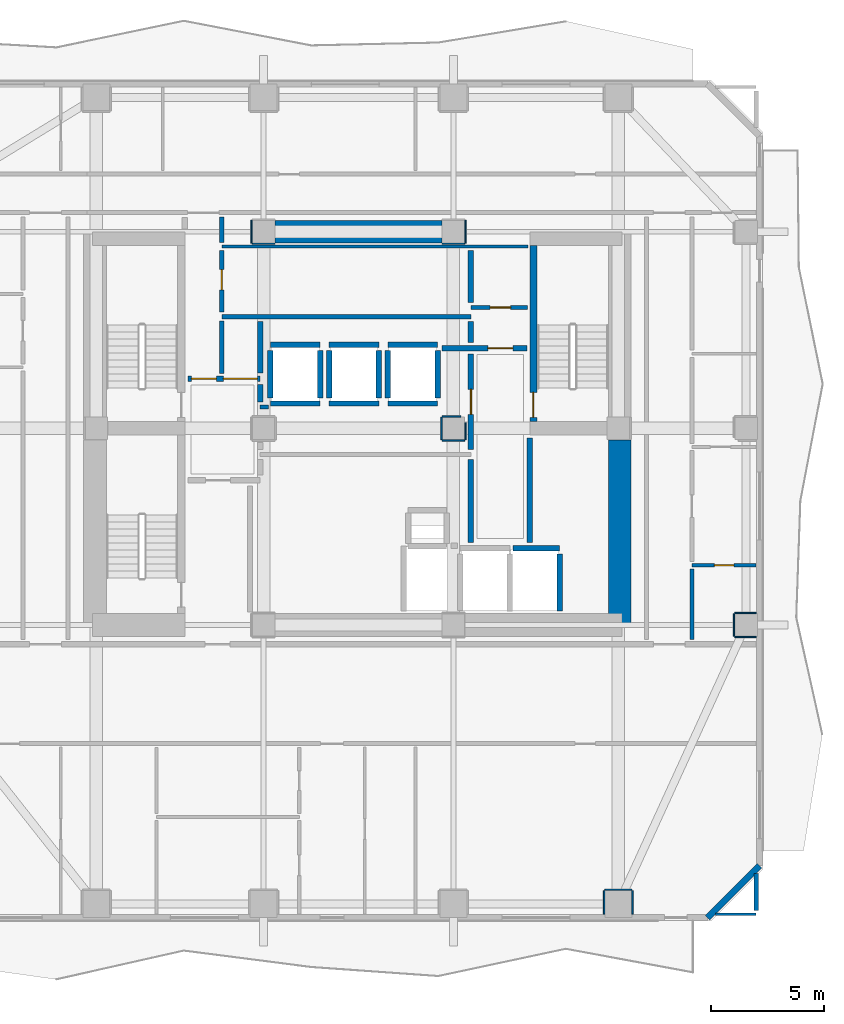
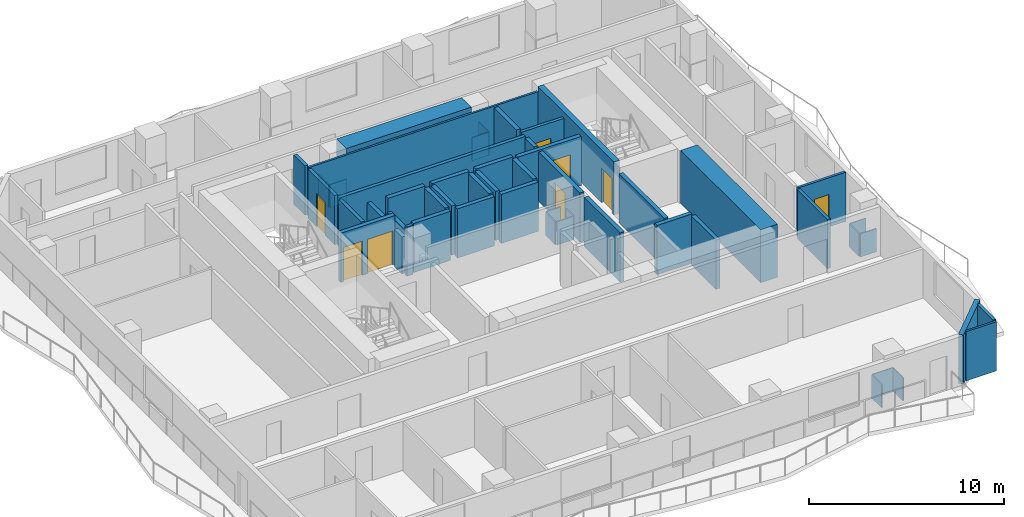
# One storey, part 4 of 10: 52 walls, 8 doors, 8 openings.
"""IFC4 building model written with IfcOpenShell, lengths in metres."""

from ifc_helpers import new_model, si_unit, direction, frame, frame_2d, origin, place, context, subcontext, project, spatial, rectangle, extrude, material, layer, layer_set, type_object, element, fill, save


model = new_model("IFC4")

# Units and contexts
model_context = context("Model", 3, precision=1e-05, world=origin(), true_north=direction((0.0, 1.0)))
body_context = subcontext(model_context, "Body", "Model", "MODEL_VIEW")
ifc_project = project(units=[si_unit("LENGTHUNIT", "METRE"), si_unit("AREAUNIT", "SQUARE_METRE"), si_unit("VOLUMEUNIT", "CUBIC_METRE"), si_unit("PLANEANGLEUNIT", "RADIAN"), si_unit("MASSUNIT", "GRAM", prefix="KILO")], contexts=[model_context])

# Site, building, storey
site_placement = place(None, origin())
site = spatial("IfcSite", under=ifc_project, at=site_placement, CompositionType="ELEMENT")
building_placement = place(site_placement, origin())
building = spatial("IfcBuilding", under=site, at=building_placement, Name="Solanera Arch Residences", CompositionType="ELEMENT")
storey_placement = place(building_placement, frame((0.0, 0.0, 119.360107421875)))
storey = spatial("IfcBuildingStorey", under=building, at=storey_placement, Name="L34", CompositionType="ELEMENT", Elevation=119.360107421875)

# Walls
ifc_material_1 = material(Name="Fire-Rated Gypsum Stud Partition", Category="gypsum")
ifc_layer_1 = layer(ifc_material_1, 0.06005859375)
ifc_layer_set_1 = layer_set([ifc_layer_1], Name="Fire-Rated Gypsum Stud Partition")
wall_type_1 = type_object("IfcWallType", Name="Column Acoustic Furring Wall 60", PredefinedType="PARTITIONING", material=ifc_layer_set_1)
for number, where, z_axis, x_axis, name in (
    (1, (20.300048828125, 38.867919921875, 0.0), (0.0, 0.0, 1.0), (1.0, 0.0, 0.0), "L34 Column Furring 3S"),
    (2, (20.26806640625, 38.89990234375, 0.0), (0.0, 0.0, 1.0), (0.0, 1.0, 0.0), "L34 Column Furring 3W"),
    (3, (28.699951171875, 38.867919921875, 0.0), (0.0, 0.0, 1.0), (1.0, 0.0, 0.0), "L34 Column Furring 4S"),
    (4, (29.73193359375, 38.89990234375, 0.0), (0.0, 0.0, 1.0), (0.0, 1.0, 0.0), "L34 Column Furring 4E"),
    (5, (28.699951171875, 30.16796875, 0.0), (0.0, 0.0, 1.0), (1.0, 0.0, 0.0), "L34 Column Furring 8S"),
):
    element("IfcWall", number, at=place(storey_placement, frame(where, z_axis=z_axis, x_axis=x_axis)), inside=storey, type_object=wall_type_1, Name=name, PredefinedType="PARTITIONING", context=body_context, shape_type="SweptSolid", body=[
        extrude(rectangle(XDim=1.0, YDim=0.06005859375, at=frame_2d((0.5, 0.0))), origin(), (0.0, 0.0, 1.0), 1.449951171875),
    ])
wall_1_placement = place(storey_placement, frame((28.699951171875, 31.23193359375, 0.0), z_axis=(0.0, 0.0, 1.0), x_axis=(1.0, 0.0, 0.0)))
element("IfcWall", 6, at=wall_1_placement, inside=storey, type_object=wall_type_1, Name="L34 Column Furring 8N", PredefinedType="PARTITIONING", context=body_context, shape_type="SweptSolid", body=[
    extrude(rectangle(XDim=0.8349609375, YDim=0.06005859375, at=frame_2d((0.41748046875, 0.0))), origin(), (0.0, 0.0, 1.0), 1.449951171875),
])
wall_2_placement = place(storey_placement, frame((28.66796875, 30.199951171875, 0.0), z_axis=(0.0, 0.0, 1.0), x_axis=(0.0, 1.0, 0.0)))
element("IfcWall", 7, at=wall_2_placement, inside=storey, type_object=wall_type_1, Name="L34 Column Furring 8W", PredefinedType="PARTITIONING", context=body_context, shape_type="SweptSolid", body=[
    extrude(rectangle(XDim=1.0, YDim=0.06005859375, at=frame_2d((0.5, 0.0))), origin(), (0.0, 0.0, 1.0), 1.449951171875),
])
wall_3_placement = place(storey_placement, frame((29.73193359375, 30.199951171875, 0.0), z_axis=(0.0, 0.0, 1.0), x_axis=(0.0, 1.0, 0.0)))
element("IfcWall", 8, at=wall_3_placement, inside=storey, type_object=wall_type_1, Name="L34 Column Furring 8E", PredefinedType="PARTITIONING", context=body_context, shape_type="SweptSolid", body=[
    extrude(rectangle(XDim=0.7470703125, YDim=0.06005859375, at=frame_2d((0.37353515625, 0.0))), origin(), (0.0, 0.0, 1.0), 1.449951171875),
])
wall_4_placement = place(storey_placement, frame((35.89990234375, 10.281982421875, 0.0), z_axis=(0.0, 0.0, 1.0), x_axis=(1.0, 0.0, 0.0)))
element("IfcWall", 9, at=wall_4_placement, inside=storey, type_object=wall_type_1, Name="L34 Column Furring 15N", PredefinedType="PARTITIONING", context=body_context, shape_type="SweptSolid", body=[
    extrude(rectangle(XDim=1.2001953125, YDim=0.06005859375, at=frame_2d((0.60009765625, 0.0))), origin(), (0.0, 0.0, 1.0), 1.449951171875),
])
for number, where, z_axis, x_axis, name in (
    (10, (35.867919921875, 9.2099609375, 0.0), (0.0, 0.0, 1.0), (0.0, 1.0, 0.0), "L34 Column Furring 15W"),
    (11, (37.132080078125, 9.2099609375, 0.0), (0.0, 0.0, 1.0), (0.0, 1.0, 0.0), "L34 Column Furring 15E"),
):
    element("IfcWall", number, at=place(storey_placement, frame(where, z_axis=z_axis, x_axis=x_axis)), inside=storey, type_object=wall_type_1, Name=name, PredefinedType="PARTITIONING", context=body_context, shape_type="SweptSolid", body=[
        extrude(rectangle(XDim=1.0400390625, YDim=0.06005859375, at=frame_2d((0.52001953125, 0.0))), origin(), (0.0, 0.0, 1.0), 1.449951171875),
    ])
for number, where, z_axis, x_axis, name in (
    (12, (41.64990234375, 21.468017578125, 0.0), (0.0, 0.0, 1.0), (1.0, 0.0, 0.0), "L34 Column Furring 18S"),
    (13, (41.64990234375, 22.531982421875, 0.0), (0.0, 0.0, 1.0), (1.0, 0.0, 0.0), "L34 Column Furring 18N"),
):
    element("IfcWall", number, at=place(storey_placement, frame(where, z_axis=z_axis, x_axis=x_axis)), inside=storey, type_object=wall_type_1, Name=name, PredefinedType="PARTITIONING", context=body_context, shape_type="SweptSolid", body=[
        extrude(rectangle(XDim=0.940185546875, YDim=0.06005859375, at=frame_2d((0.47021484375, 0.0))), origin(), (0.0, 0.0, 1.0), 1.449951171875),
    ])
wall_5_placement = place(storey_placement, frame((41.617919921875, 21.5, 0.0), z_axis=(0.0, 0.0, 1.0), x_axis=(0.0, 1.0, 0.0)))
element("IfcWall", 14, at=wall_5_placement, inside=storey, type_object=wall_type_1, Name="L34 Column Furring 18W", PredefinedType="PARTITIONING", context=body_context, shape_type="SweptSolid", body=[
    extrude(rectangle(XDim=1.0, YDim=0.06005859375, at=frame_2d((0.5, 0.0))), origin(), (0.0, 0.0, 1.0), 1.449951171875),
])
ifc_material_2 = material(Name="Concrete C55/67 (f'c = 60 MPa)", Category="concrete")
ifc_layer_2 = layer(ifc_material_2, 1.0)
ifc_layer_set_2 = layer_set([ifc_layer_2], Name="Concrete C55/67 (f'c = 60 MPa)")
wall_type_2 = type_object("IfcWallType", Name="Core Shear Wall CW-1000", PredefinedType="SHEAR", material=ifc_layer_set_2)
wall_6_placement = place(storey_placement, frame((36.56005859375, 22.0, 0.0), z_axis=(0.0, 0.0, 1.0), x_axis=(0.0, 1.0, 0.0)))
element("IfcWall", 15, at=wall_6_placement, inside=storey, type_object=wall_type_2, Name="L34 East Core South Shear Wall", PredefinedType="SHEAR", context=body_context, shape_type="SweptSolid", body=[
    extrude(rectangle(XDim=8.195068359375, YDim=1.0, at=frame_2d((4.09765625, 0.0))), origin(), (0.0, 0.0, 1.0), 3.31982421875),
])
wall_7_placement = place(storey_placement, frame((21.304931640625, 39.39990234375, 0.0), z_axis=(0.0, 0.0, 1.0), x_axis=(1.0, 0.0, 0.0)))
element("IfcWall", 16, at=wall_7_placement, inside=storey, type_object=wall_type_2, Name="L34 Central North Core Shear Wall", PredefinedType="SHEAR", context=body_context, shape_type="SweptSolid", body=[
    extrude(rectangle(XDim=7.39013671875, YDim=1.0, at=frame_2d((3.695068359375, 0.0))), origin(), (0.0, 0.0, 1.0), 3.31982421875),
])

# Wall, opening, door
ifc_material_3 = material(Name="Concrete C40/50 (f'c = 45 MPa)", Category="concrete")
ifc_layer_3 = layer(ifc_material_3, 0.320068359375)
ifc_layer_set_3 = layer_set([ifc_layer_3], Name="Concrete C40/50 (f'c = 45 MPa)")
wall_type_3 = type_object("IfcWallType", Name="Core Shear Wall CW-320", PredefinedType="SHEAR", material=ifc_layer_set_3)
wall_8_placement = place(storey_placement, frame((32.739990234375, 31.0, 0.0), z_axis=(0.0, 0.0, 1.0), x_axis=(0.0, 1.0, 0.0)))
wall_8 = element("IfcWall", 17, at=wall_8_placement, inside=storey, type_object=wall_type_3, Name="L34 Stair ST-T2 West Shear Wall", PredefinedType="SHEAR", context=body_context, shape_type="SweptSolid", body=[
    extrude(rectangle(XDim=7.800048828125, YDim=0.320068359375, at=frame_2d((3.89990234375, 0.0))), origin(), (0.0, 0.0, 1.0), 3.31982421875),
])
opening_1_placement = place(wall_8_placement, frame((0.18994140625, 0.0, 0.0)))
opening_1 = element("IfcOpeningElement", 18, at=opening_1_placement, cuts=wall_8, Name="Opening DF-01", PredefinedType="OPENING", context=body_context, shape_type="SweptSolid", body=[
    extrude(rectangle(XDim=1.10009765625, YDim=2.14990234375, at=frame_2d((0.550048828125, 1.074951171875))), frame((0.0, 0.169921875, 0.0), z_axis=(0.0, -1.0, 0.0), x_axis=(1.0, 0.0, 0.0)), (0.0, 0.0, 1.0), 0.3401),
])
ifc_material_4 = material(Name="Fire-Rated Architectural Hardwood", Category="wood")
door_type_1 = type_object("IfcDoorType", Name="Stair Exit Fire Door DF-01", OperationType="NOTDEFINED", PredefinedType="DOOR", material=ifc_material_4)
door_1_placement = place(opening_1_placement, origin())
door_1 = element("IfcDoor", 19, at=door_1_placement, inside=storey, type_object=door_type_1, Name="DR-L34-STAIR-ST-T2", OperationType="SINGLE_SWING_LEFT", OverallHeight=2.14990234375, OverallWidth=1.10009765625, PredefinedType="DOOR", context=body_context, shape_type="SweptSolid", body=[
    extrude(rectangle(XDim=1.10009765625, YDim=2.14990234375, at=frame_2d((0.550048828125, 1.074951171875))), frame((0.0, 0.02490234375, 0.0), z_axis=(0.0, -1.0, 0.0), x_axis=(1.0, 0.0, 0.0)), (0.0, 0.0, 1.0), 0.050048828125),
])
fill(opening_1, door_1)

# Wall
ifc_material_5 = material(Name="Autoclaved Aerated Concrete Blockwork", Category="masonry")
ifc_layer_4 = layer(ifc_material_5, 0.179931640625)
ifc_layer_set_4 = layer_set([ifc_layer_4], Name="Autoclaved Aerated Concrete Blockwork")
wall_type_4 = type_object("IfcWallType", Name="Corridor Fire Partition 180", PredefinedType="PARTITIONING", material=ifc_layer_set_4)
wall_9_placement = place(storey_placement, frame((20.64990234375, 31.64990234375, 0.0), z_axis=(0.0, 0.0, 1.0), x_axis=(1.0, 0.0, 0.0)))
element("IfcWall", 20, at=wall_9_placement, inside=storey, type_object=wall_type_4, Name="L34 Interior Partition H9", PredefinedType="PARTITIONING", context=body_context, shape_type="SweptSolid", body=[
    extrude(rectangle(XDim=0.357177734375, YDim=0.179931640625, at=frame_2d((0.1787109375, 0.0))), origin(), (0.0, 0.0, 1.0), 3.079833984375),
])

# Wall, opening, door
wall_10_placement = place(storey_placement, frame((29.97509765625, 36.050048828125, 0.0), z_axis=(0.0, 0.0, 1.0), x_axis=(1.0, 0.0, 0.0)))
wall_10 = element("IfcWall", 21, at=wall_10_placement, inside=storey, type_object=wall_type_4, Name="L34 Interior Partition H10", PredefinedType="PARTITIONING", context=body_context, shape_type="SweptSolid", body=[
    extrude(rectangle(XDim=2.5048828125, YDim=0.179931640625, at=frame_2d((1.25244140625, 0.0))), origin(), (0.0, 0.0, 1.0), 3.079833984375),
])
opening_2_placement = place(wall_10_placement, frame((0.85205078125, 0.0, 0.0)))
opening_2 = element("IfcOpeningElement", 22, at=opening_2_placement, cuts=wall_10, Name="Opening DI-02", PredefinedType="OPENING", context=body_context, shape_type="SweptSolid", body=[
    extrude(rectangle(XDim=0.89990234375, YDim=2.10009765625, at=frame_2d((0.449951171875, 1.050048828125))), frame((0.0, 0.10009765625, 0.0), z_axis=(0.0, -1.0, 0.0), x_axis=(1.0, 0.0, 0.0)), (0.0, 0.0, 1.0), 0.1999),
])
ifc_material_6 = material(Name="Fire-Rated Architectural Hardwood", Category="wood")
door_type_2 = type_object("IfcDoorType", Name="Suite Room Swing Door DI-02", OperationType="NOTDEFINED", PredefinedType="DOOR", material=ifc_material_6)
door_2_placement = place(opening_2_placement, origin())
door_2 = element("IfcDoor", 23, at=door_2_placement, inside=storey, type_object=door_type_2, Name="DR-L34-IN-015", OperationType="SINGLE_SWING_RIGHT", OverallHeight=2.10009765625, OverallWidth=0.89990234375, PredefinedType="DOOR", context=body_context, shape_type="SweptSolid", body=[
    extrude(rectangle(XDim=0.89990234375, YDim=2.10009765625, at=frame_2d((0.449951171875, 1.050048828125))), frame((0.0, 0.02490234375, 0.0), z_axis=(0.0, -1.0, 0.0), x_axis=(1.0, 0.0, 0.0)), (0.0, 0.0, 1.0), 0.050048828125),
])
fill(opening_2, door_2)

# Walls
wall_11_placement = place(storey_placement, frame((39.75, 21.367919921875, 0.0), z_axis=(0.0, 0.0, 1.0), x_axis=(0.0, 1.0, 0.0)))
element("IfcWall", 24, at=wall_11_placement, inside=storey, type_object=wall_type_4, Name="L34 Interior Partition V12 1", PredefinedType="PARTITIONING", context=body_context, shape_type="SweptSolid", body=[
    extrude(rectangle(XDim=3.109130859375, YDim=0.179931640625, at=frame_2d((1.5546875, 0.0))), origin(), (0.0, 0.0, 1.0), 3.079833984375),
])
wall_12_placement = place(storey_placement, frame((42.60009765625, 9.35791015625, 0.0), z_axis=(0.0, 0.0, 1.0), x_axis=(0.0, 1.0, 0.0)))
element("IfcWall", 25, at=wall_12_placement, inside=storey, type_object=wall_type_4, Name="L34 Interior Partition V13 1", PredefinedType="PARTITIONING", context=body_context, shape_type="SweptSolid", body=[
    extrude(rectangle(XDim=1.63720703125, YDim=0.179931640625, at=frame_2d((0.818603515625, 0.0))), origin(), (0.0, 0.0, 1.0), 3.079833984375),
])
ifc_material_7 = material(Name="Precast Concrete C35/45", Category="concrete")
ifc_layer_5 = layer(ifc_material_7, 0.280029296875)
ifc_layer_set_5 = layer_set([ifc_layer_5], Name="Precast Concrete C35/45")
wall_type_5 = type_object("IfcWallType", Name="Exterior Wall Precast Masonry-Frame 280", PredefinedType="STANDARD", material=ifc_layer_set_5)
wall_13_placement = place(storey_placement, frame((42.7451171875, 11.35498046875, 0.0), z_axis=(0.0, 0.0, 1.0), x_axis=(-0.707106781187, -0.707106781187, 0.0)))
element("IfcWall", 26, at=wall_13_placement, inside=storey, type_object=wall_type_5, Name="L34 Tower Exterior Precast Masonry-Frame Wall CH5", PredefinedType="STANDARD", context=body_context, shape_type="SweptSolid", body=[
    extrude(rectangle(XDim=3.252685546875, YDim=0.280029296875, at=frame_2d((1.62646484375, 0.0))), origin(), (0.0, 0.0, 1.0), 3.079833984375),
])
ifc_material_8 = material(Name="Autoclaved Aerated Concrete Blockwork", Category="masonry")
ifc_layer_6 = layer(ifc_material_8, 0.199951171875)
ifc_layer_set_6 = layer_set([ifc_layer_6], Name="Autoclaved Aerated Concrete Blockwork")
wall_type_6 = type_object("IfcWallType", Name="Party Wall Acoustic 200", PredefinedType="PARTITIONING", material=ifc_layer_set_6)
wall_14_placement = place(storey_placement, frame((18.949951171875, 35.64990234375, 0.0), z_axis=(0.0, 0.0, 1.0), x_axis=(1.0, 0.0, 0.0)))
element("IfcWall", 27, at=wall_14_placement, inside=storey, type_object=wall_type_6, Name="L34 Interior Partition H6", PredefinedType="PARTITIONING", context=body_context, shape_type="SweptSolid", body=[
    extrude(rectangle(XDim=11.025146484375, YDim=0.199951171875, at=frame_2d((5.5126953125, 0.0))), origin(), (0.0, 0.0, 1.0), 3.079833984375),
])
wall_15_placement = place(storey_placement, frame((18.949951171875, 33.1279296875, 0.0), z_axis=(0.0, 0.0, 1.0), x_axis=(0.0, 1.0, 0.0)))
element("IfcWall", 28, at=wall_15_placement, inside=storey, type_object=wall_type_6, Name="L34 Interior Partition V6 1", PredefinedType="PARTITIONING", context=body_context, shape_type="SweptSolid", body=[
    extrude(rectangle(XDim=2.31396484375, YDim=0.199951171875, at=frame_2d((1.156982421875, 0.0))), origin(), (0.0, 0.0, 1.0), 3.079833984375),
])

# Wall, opening, door
wall_16_placement = place(storey_placement, frame((18.949951171875, 35.85791015625, 0.0), z_axis=(0.0, 0.0, 1.0), x_axis=(0.0, 1.0, 0.0)))
wall_16 = element("IfcWall", 29, at=wall_16_placement, inside=storey, type_object=wall_type_6, Name="L34 Interior Partition V6 2", PredefinedType="PARTITIONING", context=body_context, shape_type="SweptSolid", body=[
    extrude(rectangle(XDim=2.72412109375, YDim=0.199951171875, at=frame_2d((1.362060546875, 0.0))), origin(), (0.0, 0.0, 1.0), 3.079833984375),
])
opening_3_placement = place(wall_16_placement, frame((0.967041015625, 0.0, 0.0)))
opening_3 = element("IfcOpeningElement", 30, at=opening_3_placement, cuts=wall_16, Name="Opening DI-02", PredefinedType="OPENING", context=body_context, shape_type="SweptSolid", body=[
    extrude(rectangle(XDim=0.89990234375, YDim=2.10009765625, at=frame_2d((0.449951171875, 1.050048828125))), frame((0.0, 0.110107421875, 0.0), z_axis=(0.0, -1.0, 0.0), x_axis=(1.0, 0.0, 0.0)), (0.0, 0.0, 1.0), 0.22),
])
door_3_placement = place(opening_3_placement, origin())
door_3 = element("IfcDoor", 31, at=door_3_placement, inside=storey, type_object=door_type_2, Name="DR-L34-IN-016", OperationType="SINGLE_SWING_LEFT", OverallHeight=2.10009765625, OverallWidth=0.89990234375, PredefinedType="DOOR", context=body_context, shape_type="SweptSolid", body=[
    extrude(rectangle(XDim=0.89990234375, YDim=2.10009765625, at=frame_2d((0.449951171875, 1.050048828125))), frame((0.0, 0.02490234375, 0.0), z_axis=(0.0, -1.0, 0.0), x_axis=(1.0, 0.0, 0.0)), (0.0, 0.0, 1.0), 0.050048828125),
])
fill(opening_3, door_3)

# Walls
wall_17_placement = place(storey_placement, frame((18.949951171875, 38.91796875, 0.0), z_axis=(0.0, 0.0, 1.0), x_axis=(0.0, 1.0, 0.0)))
element("IfcWall", 32, at=wall_17_placement, inside=storey, type_object=wall_type_6, Name="L34 Interior Partition V6 3", PredefinedType="PARTITIONING", context=body_context, shape_type="SweptSolid", body=[
    extrude(rectangle(XDim=1.134033203125, YDim=0.199951171875, at=frame_2d((0.56689453125, 0.0))), origin(), (0.0, 0.0, 1.0), 3.079833984375),
])
ifc_material_9 = material(Name="Autoclaved Aerated Concrete Blockwork", Category="masonry")
ifc_layer_7 = layer(ifc_material_9, 0.239990234375)
ifc_layer_set_7 = layer_set([ifc_layer_7], Name="Autoclaved Aerated Concrete Blockwork")
wall_type_7 = type_object("IfcWallType", Name="Shaft Wall Fire-Rated 240", PredefinedType="PARTITIONING", material=ifc_layer_set_7)
for number, where, z_axis, x_axis, name in (
    (33, (21.10009765625, 31.800048828125, 0.0), (0.0, 0.0, 1.0), (1.0, 0.0, 0.0), "L34 Lift PL-M1 Hoistway Wall S"),
    (34, (21.10009765625, 34.39990234375, 0.0), (0.0, 0.0, 1.0), (1.0, 0.0, 0.0), "L34 Lift PL-M1 Hoistway Wall N"),
):
    element("IfcWall", number, at=place(storey_placement, frame(where, z_axis=z_axis, x_axis=x_axis)), inside=storey, type_object=wall_type_7, Name=name, PredefinedType="PARTITIONING", context=body_context, shape_type="SweptSolid", body=[
        extrude(rectangle(XDim=2.199951171875, YDim=0.239990234375, at=frame_2d((1.10009765625, 0.0))), origin(), (0.0, 0.0, 1.0), 3.079833984375),
    ])
wall_18_placement = place(storey_placement, frame((21.10009765625, 32.048095703125, 0.0), z_axis=(0.0, 0.0, 1.0), x_axis=(0.0, 1.0, 0.0)))
element("IfcWall", 35, at=wall_18_placement, inside=storey, type_object=wall_type_7, Name="L34 Lift PL-M1 Hoistway Wall W", PredefinedType="PARTITIONING", context=body_context, shape_type="SweptSolid", body=[
    extrude(rectangle(XDim=2.10400390625, YDim=0.239990234375, at=frame_2d((1.052001953125, 0.0))), origin(), (0.0, 0.0, 1.0), 2.31494140625),
])
wall_19_placement = place(storey_placement, frame((23.300048828125, 32.048095703125, 0.0), z_axis=(0.0, 0.0, 1.0), x_axis=(0.0, 1.0, 0.0)))
element("IfcWall", 36, at=wall_19_placement, inside=storey, type_object=wall_type_7, Name="L34 Lift PL-M1 Hoistway Wall E", PredefinedType="PARTITIONING", context=body_context, shape_type="SweptSolid", body=[
    extrude(rectangle(XDim=2.10400390625, YDim=0.239990234375, at=frame_2d((1.052001953125, 0.0))), origin(), (0.0, 0.0, 1.0), 3.079833984375),
])
for number, where, z_axis, x_axis, name in (
    (37, (23.699951171875, 31.800048828125, 0.0), (0.0, 0.0, 1.0), (1.0, 0.0, 0.0), "L34 Lift PL-M2 Hoistway Wall S"),
    (38, (23.699951171875, 34.39990234375, 0.0), (0.0, 0.0, 1.0), (1.0, 0.0, 0.0), "L34 Lift PL-M2 Hoistway Wall N"),
):
    element("IfcWall", number, at=place(storey_placement, frame(where, z_axis=z_axis, x_axis=x_axis)), inside=storey, type_object=wall_type_7, Name=name, PredefinedType="PARTITIONING", context=body_context, shape_type="SweptSolid", body=[
        extrude(rectangle(XDim=2.199951171875, YDim=0.239990234375, at=frame_2d((1.10009765625, 0.0))), origin(), (0.0, 0.0, 1.0), 3.079833984375),
    ])
for number, where, z_axis, x_axis, name in (
    (39, (23.699951171875, 32.048095703125, 0.0), (0.0, 0.0, 1.0), (0.0, 1.0, 0.0), "L34 Lift PL-M2 Hoistway Wall W"),
    (40, (25.89990234375, 32.048095703125, 0.0), (0.0, 0.0, 1.0), (0.0, 1.0, 0.0), "L34 Lift PL-M2 Hoistway Wall E"),
):
    element("IfcWall", number, at=place(storey_placement, frame(where, z_axis=z_axis, x_axis=x_axis)), inside=storey, type_object=wall_type_7, Name=name, PredefinedType="PARTITIONING", context=body_context, shape_type="SweptSolid", body=[
        extrude(rectangle(XDim=2.10400390625, YDim=0.239990234375, at=frame_2d((1.052001953125, 0.0))), origin(), (0.0, 0.0, 1.0), 3.079833984375),
    ])
for number, where, z_axis, x_axis, name in (
    (41, (26.300048828125, 31.800048828125, 0.0), (0.0, 0.0, 1.0), (1.0, 0.0, 0.0), "L34 Lift PL-M3 Hoistway Wall S"),
    (42, (26.300048828125, 34.39990234375, 0.0), (0.0, 0.0, 1.0), (1.0, 0.0, 0.0), "L34 Lift PL-M3 Hoistway Wall N"),
):
    element("IfcWall", number, at=place(storey_placement, frame(where, z_axis=z_axis, x_axis=x_axis)), inside=storey, type_object=wall_type_7, Name=name, PredefinedType="PARTITIONING", context=body_context, shape_type="SweptSolid", body=[
        extrude(rectangle(XDim=2.199951171875, YDim=0.239990234375, at=frame_2d((1.10009765625, 0.0))), origin(), (0.0, 0.0, 1.0), 3.079833984375),
    ])
for number, where, z_axis, x_axis, name in (
    (43, (26.300048828125, 32.048095703125, 0.0), (0.0, 0.0, 1.0), (0.0, 1.0, 0.0), "L34 Lift PL-M3 Hoistway Wall W"),
    (44, (28.5, 32.048095703125, 0.0), (0.0, 0.0, 1.0), (0.0, 1.0, 0.0), "L34 Lift PL-M3 Hoistway Wall E"),
):
    element("IfcWall", number, at=place(storey_placement, frame(where, z_axis=z_axis, x_axis=x_axis)), inside=storey, type_object=wall_type_7, Name=name, PredefinedType="PARTITIONING", context=body_context, shape_type="SweptSolid", body=[
        extrude(rectangle(XDim=2.10400390625, YDim=0.239990234375, at=frame_2d((1.052001953125, 0.0))), origin(), (0.0, 0.0, 1.0), 3.079833984375),
    ])
wall_20_placement = place(storey_placement, frame((31.827880859375, 25.39990234375, 0.0), z_axis=(0.0, 0.0, 1.0), x_axis=(1.0, 0.0, 0.0)))
element("IfcWall", 45, at=wall_20_placement, inside=storey, type_object=wall_type_7, Name="L34 Lift FFL-2 Hoistway Wall N", PredefinedType="PARTITIONING", context=body_context, shape_type="SweptSolid", body=[
    extrude(rectangle(XDim=2.072021484375, YDim=0.239990234375, at=frame_2d((1.0361328125, 0.0))), origin(), (0.0, 0.0, 1.0), 3.079833984375),
])
wall_21_placement = place(storey_placement, frame((33.89990234375, 22.6298828125, 0.0), z_axis=(0.0, 0.0, 1.0), x_axis=(0.0, 1.0, 0.0)))
element("IfcWall", 46, at=wall_21_placement, inside=storey, type_object=wall_type_7, Name="L34 Lift FFL-2 Hoistway Wall E", PredefinedType="PARTITIONING", context=body_context, shape_type="SweptSolid", body=[
    extrude(rectangle(XDim=2.522216796875, YDim=0.239990234375, at=frame_2d((1.26123046875, 0.0))), origin(), (0.0, 0.0, 1.0), 3.079833984375),
])

# Wall, openings, doors
wall_22_placement = place(storey_placement, frame((17.449951171875, 32.89990234375, 0.0), z_axis=(0.0, 0.0, 1.0), x_axis=(1.0, 0.0, 0.0)))
wall_22 = element("IfcWall", 47, at=wall_22_placement, inside=storey, type_object=wall_type_7, Name="L34 Interior Partition H4", PredefinedType="PARTITIONING", context=body_context, shape_type="SweptSolid", body=[
    extrude(rectangle(XDim=3.199951171875, YDim=0.239990234375, at=frame_2d((1.60009765625, 0.0))), origin(), (0.0, 0.0, 1.0), 3.079833984375),
])
opening_4_placement = place(wall_22_placement, frame((0.158935546875, 0.0, 0.0)))
opening_4 = element("IfcOpeningElement", 48, at=opening_4_placement, cuts=wall_22, Name="Opening DF-02", PredefinedType="OPENING", context=body_context, shape_type="SweptSolid", body=[
    extrude(rectangle(XDim=1.10009765625, YDim=2.14990234375, at=frame_2d((0.550048828125, 1.074951171875))), frame((0.0, 0.1298828125, 0.0), z_axis=(0.0, -1.0, 0.0), x_axis=(1.0, 0.0, 0.0)), (0.0, 0.0, 1.0), 0.26),
])
opening_5_placement = place(wall_22_placement, frame((1.575927734375, 0.0, 0.0)))
opening_5 = element("IfcOpeningElement", 49, at=opening_5_placement, cuts=wall_22, Name="Opening DP-01", PredefinedType="OPENING", context=body_context, shape_type="SweptSolid", body=[
    extrude(rectangle(XDim=1.5, YDim=2.14990234375, at=frame_2d((0.75, 1.074951171875))), frame((0.0, 0.1298828125, 0.0), z_axis=(0.0, -1.0, 0.0), x_axis=(1.0, 0.0, 0.0)), (0.0, 0.0, 1.0), 0.26),
])
ifc_material_10 = material(Name="Fire-Rated Architectural Hardwood", Category="wood")
door_type_3 = type_object("IfcDoorType", Name="Firefighting Lobby Fire Door DF-02", OperationType="NOTDEFINED", PredefinedType="DOOR", material=ifc_material_10)
door_4_placement = place(opening_4_placement, origin())
door_4 = element("IfcDoor", 50, at=door_4_placement, inside=storey, type_object=door_type_3, Name="DR-L34-IN-005", OperationType="SINGLE_SWING_RIGHT", OverallHeight=2.14990234375, OverallWidth=1.10009765625, PredefinedType="DOOR", context=body_context, shape_type="SweptSolid", body=[
    extrude(rectangle(XDim=1.10009765625, YDim=2.14990234375, at=frame_2d((0.550048828125, 1.074951171875))), frame((0.0, 0.02490234375, 0.0), z_axis=(0.0, -1.0, 0.0), x_axis=(1.0, 0.0, 0.0)), (0.0, 0.0, 1.0), 0.050048828125),
])
fill(opening_4, door_4)
ifc_material_11 = material(Name="Fire-Rated Architectural Hardwood", Category="wood")
door_type_4 = type_object("IfcDoorType", Name="Plant Double Fire Door DP-01", OperationType="NOTDEFINED", PredefinedType="DOOR", material=ifc_material_11)
door_5_placement = place(opening_5_placement, origin())
door_5 = element("IfcDoor", 51, at=door_5_placement, inside=storey, type_object=door_type_4, Name="DR-L34-IN-014", OperationType="SINGLE_SWING_LEFT", OverallHeight=2.14990234375, OverallWidth=1.5, PredefinedType="DOOR", context=body_context, shape_type="SweptSolid", body=[
    extrude(rectangle(XDim=1.5, YDim=2.14990234375, at=frame_2d((0.75, 1.074951171875))), frame((0.0, 0.02490234375, 0.0), z_axis=(0.0, -1.0, 0.0), x_axis=(1.0, 0.0, 0.0)), (0.0, 0.0, 1.0), 0.050048828125),
])
fill(opening_5, door_5)

# Wall, opening, door
wall_23_placement = place(storey_placement, frame((28.701904296875, 34.25, 0.0), z_axis=(0.0, 0.0, 1.0), x_axis=(1.0, 0.0, 0.0)))
wall_23 = element("IfcWall", 52, at=wall_23_placement, inside=storey, type_object=wall_type_7, Name="L34 Interior Partition H5", PredefinedType="PARTITIONING", context=body_context, shape_type="SweptSolid", body=[
    extrude(rectangle(XDim=3.748046875, YDim=0.239990234375, at=frame_2d((1.8740234375, 0.0))), origin(), (0.0, 0.0, 1.0), 3.079833984375),
])
opening_6_placement = place(wall_23_placement, frame((2.02490234375, 0.0, 0.0)))
opening_6 = element("IfcOpeningElement", 53, at=opening_6_placement, cuts=wall_23, Name="Opening DF-02", PredefinedType="OPENING", context=body_context, shape_type="SweptSolid", body=[
    extrude(rectangle(XDim=1.10009765625, YDim=2.14990234375, at=frame_2d((0.550048828125, 1.074951171875))), frame((0.0, 0.1298828125, 0.0), z_axis=(0.0, -1.0, 0.0), x_axis=(1.0, 0.0, 0.0)), (0.0, 0.0, 1.0), 0.26),
])
door_6_placement = place(opening_6_placement, origin())
door_6 = element("IfcDoor", 54, at=door_6_placement, inside=storey, type_object=door_type_3, Name="DR-L34-IN-007", OperationType="SINGLE_SWING_RIGHT", OverallHeight=2.14990234375, OverallWidth=1.10009765625, PredefinedType="DOOR", context=body_context, shape_type="SweptSolid", body=[
    extrude(rectangle(XDim=1.10009765625, YDim=2.14990234375, at=frame_2d((0.550048828125, 1.074951171875))), frame((0.0, 0.02490234375, 0.0), z_axis=(0.0, -1.0, 0.0), x_axis=(1.0, 0.0, 0.0)), (0.0, 0.0, 1.0), 0.050048828125),
])
fill(opening_6, door_6)

# Walls
wall_24_placement = place(storey_placement, frame((20.64990234375, 31.867919921875, 0.0), z_axis=(0.0, 0.0, 1.0), x_axis=(0.0, 1.0, 0.0)))
element("IfcWall", 55, at=wall_24_placement, inside=storey, type_object=wall_type_7, Name="L34 Interior Partition V3 3", PredefinedType="PARTITIONING", context=body_context, shape_type="SweptSolid", body=[
    extrude(rectangle(XDim=0.7841796875, YDim=0.239990234375, at=frame_2d((0.39208984375, 0.0))), origin(), (0.0, 0.0, 1.0), 2.31494140625),
])
wall_25_placement = place(storey_placement, frame((20.64990234375, 33.14794921875, 0.0), z_axis=(0.0, 0.0, 1.0), x_axis=(0.0, 1.0, 0.0)))
element("IfcWall", 56, at=wall_25_placement, inside=storey, type_object=wall_type_7, Name="L34 Interior Partition V3 4", PredefinedType="PARTITIONING", context=body_context, shape_type="SweptSolid", body=[
    extrude(rectangle(XDim=2.274169921875, YDim=0.239990234375, at=frame_2d((1.13720703125, 0.0))), origin(), (0.0, 0.0, 1.0), 2.31494140625),
])
wall_26_placement = place(storey_placement, frame((29.97509765625, 25.64794921875, 0.0), z_axis=(0.0, 0.0, 1.0), x_axis=(0.0, 1.0, 0.0)))
element("IfcWall", 57, at=wall_26_placement, inside=storey, type_object=wall_type_7, Name="L34 Interior Partition V4 1", PredefinedType="PARTITIONING", context=body_context, shape_type="SweptSolid", body=[
    extrude(rectangle(XDim=3.68408203125, YDim=0.239990234375, at=frame_2d((1.842041015625, 0.0))), origin(), (0.0, 0.0, 1.0), 3.079833984375),
])

# Wall, opening, door
wall_27_placement = place(storey_placement, frame((29.97509765625, 29.76806640625, 0.0), z_axis=(0.0, 0.0, 1.0), x_axis=(0.0, 1.0, 0.0)))
wall_27 = element("IfcWall", 58, at=wall_27_placement, inside=storey, type_object=wall_type_7, Name="L34 Interior Partition V4 2", PredefinedType="PARTITIONING", context=body_context, shape_type="SweptSolid", body=[
    extrude(rectangle(XDim=4.23388671875, YDim=0.239990234375, at=frame_2d((2.116943359375, 0.0))), origin(), (0.0, 0.0, 1.0), 3.079833984375),
])
opening_7_placement = place(wall_27_placement, frame((1.556884765625, 0.0, 0.0)))
opening_7 = element("IfcOpeningElement", 59, at=opening_7_placement, cuts=wall_27, Name="Opening DF-02", PredefinedType="OPENING", context=body_context, shape_type="SweptSolid", body=[
    extrude(rectangle(XDim=1.10009765625, YDim=2.14990234375, at=frame_2d((0.550048828125, 1.074951171875))), frame((0.0, 0.1298828125, 0.0), z_axis=(0.0, -1.0, 0.0), x_axis=(1.0, 0.0, 0.0)), (0.0, 0.0, 1.0), 0.26),
])
door_7_placement = place(opening_7_placement, origin())
door_7 = element("IfcDoor", 60, at=door_7_placement, inside=storey, type_object=door_type_3, Name="DR-L34-IN-006", OperationType="SINGLE_SWING_LEFT", OverallHeight=2.14990234375, OverallWidth=1.10009765625, PredefinedType="DOOR", context=body_context, shape_type="SweptSolid", body=[
    extrude(rectangle(XDim=1.10009765625, YDim=2.14990234375, at=frame_2d((0.550048828125, 1.074951171875))), frame((0.0, 0.02490234375, 0.0), z_axis=(0.0, -1.0, 0.0), x_axis=(1.0, 0.0, 0.0)), (0.0, 0.0, 1.0), 0.050048828125),
])
fill(opening_7, door_7)

# Walls
wall_28_placement = place(storey_placement, frame((29.97509765625, 34.498046875, 0.0), z_axis=(0.0, 0.0, 1.0), x_axis=(0.0, 1.0, 0.0)))
element("IfcWall", 61, at=wall_28_placement, inside=storey, type_object=wall_type_7, Name="L34 Interior Partition V4 3", PredefinedType="PARTITIONING", context=body_context, shape_type="SweptSolid", body=[
    extrude(rectangle(XDim=0.924072265625, YDim=0.239990234375, at=frame_2d((0.4619140625, 0.0))), origin(), (0.0, 0.0, 1.0), 3.079833984375),
])
wall_29_placement = place(storey_placement, frame((29.97509765625, 36.26806640625, 0.0), z_axis=(0.0, 0.0, 1.0), x_axis=(0.0, 1.0, 0.0)))
element("IfcWall", 62, at=wall_29_placement, inside=storey, type_object=wall_type_7, Name="L34 Interior Partition V4 4", PredefinedType="PARTITIONING", context=body_context, shape_type="SweptSolid", body=[
    extrude(rectangle(XDim=2.2939453125, YDim=0.239990234375, at=frame_2d((1.14697265625, 0.0))), origin(), (0.0, 0.0, 1.0), 3.079833984375),
])
wall_30_placement = place(storey_placement, frame((32.580078125, 25.64794921875, 0.0), z_axis=(0.0, 0.0, 1.0), x_axis=(0.0, 1.0, 0.0)))
element("IfcWall", 63, at=wall_30_placement, inside=storey, type_object=wall_type_7, Name="L34 Interior Partition V5", PredefinedType="PARTITIONING", context=body_context, shape_type="SweptSolid", body=[
    extrude(rectangle(XDim=4.6220703125, YDim=0.239990234375, at=frame_2d((2.31103515625, 0.0))), origin(), (0.0, 0.0, 1.0), 3.079833984375),
])
ifc_material_12 = material(Name="Fire-Rated Gypsum Stud Partition", Category="gypsum")
ifc_layer_8 = layer(ifc_material_12, 0.1201171875)
ifc_layer_set_8 = layer_set([ifc_layer_8], Name="Fire-Rated Gypsum Stud Partition")
wall_type_8 = type_object("IfcWallType", Name="Unit Drywall Partition 120", PredefinedType="PARTITIONING", material=ifc_layer_set_8)
wall_31_placement = place(storey_placement, frame((40.804931640625, 9.199951171875, 0.0), z_axis=(0.0, 0.0, 1.0), x_axis=(1.0, 0.0, 0.0)))
element("IfcWall", 64, at=wall_31_placement, inside=storey, type_object=wall_type_8, Name="L34 Interior Partition H18 2", PredefinedType="PARTITIONING", context=body_context, shape_type="SweptSolid", body=[
    extrude(rectangle(XDim=1.795166015625, YDim=0.1201171875, at=frame_2d((0.8974609375, 0.0))), origin(), (0.0, 0.0, 1.0), 3.079833984375),
])
wall_32_placement = place(storey_placement, frame((18.949951171875, 38.75, 0.0), z_axis=(0.0, 0.0, 1.0), x_axis=(1.0, 0.0, 0.0)))
element("IfcWall", 65, at=wall_32_placement, inside=storey, type_object=wall_type_8, Name="L34 Interior Partition H22", PredefinedType="PARTITIONING", context=body_context, shape_type="SweptSolid", body=[
    extrude(rectangle(XDim=13.56005859375, YDim=0.1201171875, at=frame_2d((6.780029296875, 0.0))), origin(), (0.0, 0.0, 1.0), 3.079833984375),
])

# Wall, opening, door
ifc_material_13 = material(Name="Autoclaved Aerated Concrete Blockwork", Category="masonry")
ifc_layer_9 = layer(ifc_material_13, 0.139892578125)
ifc_layer_set_9 = layer_set([ifc_layer_9], Name="Autoclaved Aerated Concrete Blockwork")
wall_type_9 = type_object("IfcWallType", Name="Wet-Room Partition 140", PredefinedType="PARTITIONING", material=ifc_layer_set_9)
wall_33_placement = place(storey_placement, frame((39.75, 24.64501953125, 0.0), z_axis=(0.0, 0.0, 1.0), x_axis=(1.0, 0.0, 0.0)))
wall_33 = element("IfcWall", 66, at=wall_33_placement, inside=storey, type_object=wall_type_9, Name="L34 Interior Partition H15", PredefinedType="PARTITIONING", context=body_context, shape_type="SweptSolid", body=[
    extrude(rectangle(XDim=2.843017578125, YDim=0.139892578125, at=frame_2d((1.42138671875, 0.0))), origin(), (0.0, 0.0, 1.0), 3.079833984375),
])
opening_8_placement = place(wall_33_placement, frame((0.9951171875, 0.0, 0.0)))
opening_8 = element("IfcOpeningElement", 67, at=opening_8_placement, cuts=wall_33, Name="Opening DI-05", PredefinedType="OPENING", context=body_context, shape_type="SweptSolid", body=[
    extrude(rectangle(XDim=0.860107421875, YDim=2.02001953125, at=frame_2d((0.43017578125, 1.010009765625))), frame((0.0, 0.079833984375, 0.0), z_axis=(0.0, -1.0, 0.0), x_axis=(1.0, 0.0, 0.0)), (0.0, 0.0, 1.0), 0.1599),
])
ifc_material_14 = material(Name="Fire-Rated Architectural Hardwood", Category="wood")
door_type_5 = type_object("IfcDoorType", Name="Bathroom Swing Door DI-05", OperationType="NOTDEFINED", PredefinedType="DOOR", material=ifc_material_14)
door_8_placement = place(opening_8_placement, origin())
door_8 = element("IfcDoor", 68, at=door_8_placement, inside=storey, type_object=door_type_5, Name="DR-L34-IN-035", OperationType="SINGLE_SWING_RIGHT", OverallHeight=2.02001953125, OverallWidth=0.860107421875, PredefinedType="DOOR", context=body_context, shape_type="SweptSolid", body=[
    extrude(rectangle(XDim=0.860107421875, YDim=2.02001953125, at=frame_2d((0.43017578125, 1.010009765625))), frame((0.0, 0.02490234375, 0.0), z_axis=(0.0, -1.0, 0.0), x_axis=(1.0, 0.0, 0.0)), (0.0, 0.0, 1.0), 0.050048828125),
])
fill(opening_8, door_8)

save(model, "model.ifc")
